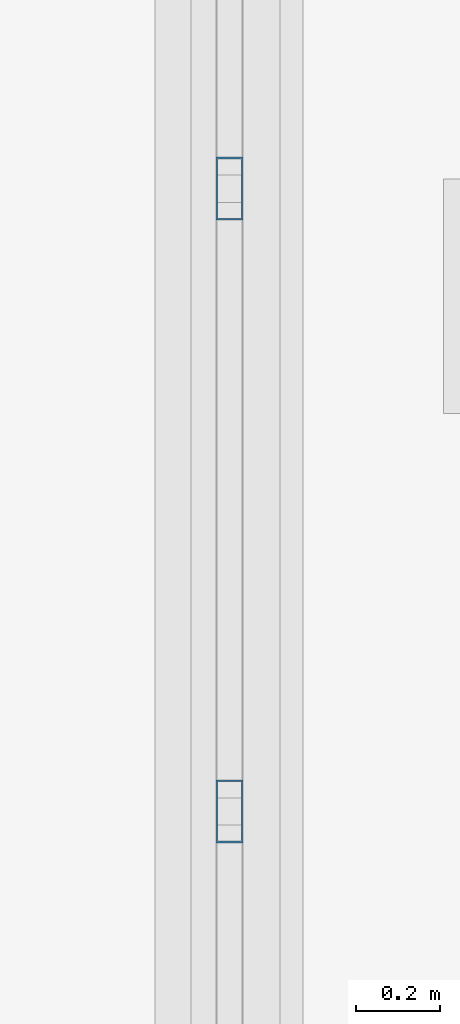
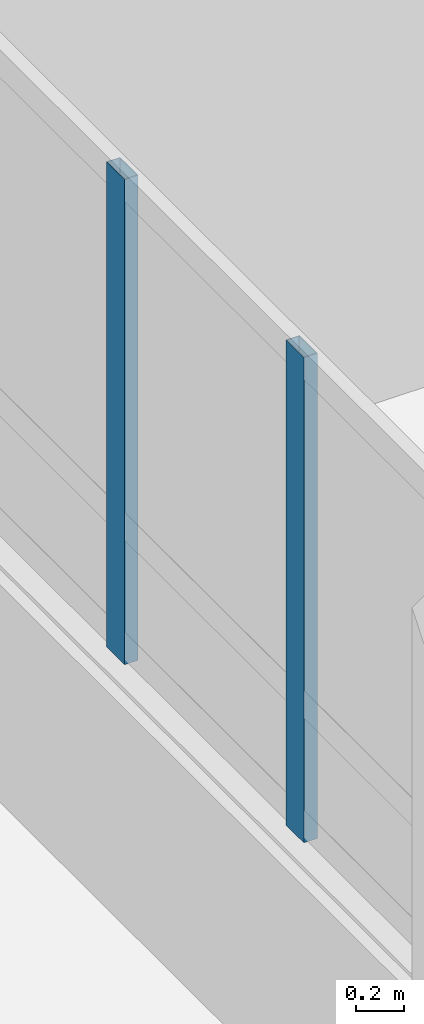
# One storey, part 34 of 95: 2 members, 1 element without a shape of its own.
"""IFC4 building model written with IfcOpenShell, lengths in metres."""

from ifc_helpers import new_model, si_unit, direction, frame, origin, origin_2d, place, context, subcontext, project, spatial, hollow_rectangle, extrude, material, layer, layer_set, material_profile, profile_set, type_object, element, aggregate, save


model = new_model("IFC4")

# Units and contexts
model_context = context("Model", 3, precision=1e-05, world=origin(), true_north=direction((0.0, 1.0)))
body_context = subcontext(model_context, "Body", "Model", "MODEL_VIEW")
ifc_project = project(units=[si_unit("LENGTHUNIT", "METRE"), si_unit("AREAUNIT", "SQUARE_METRE"), si_unit("VOLUMEUNIT", "CUBIC_METRE"), si_unit("PLANEANGLEUNIT", "RADIAN"), si_unit("MASSUNIT", "GRAM", prefix="KILO")], contexts=[model_context])

# Site, building, storey
site_placement = place(None, origin())
site = spatial("IfcSite", under=ifc_project, at=site_placement, CompositionType="ELEMENT")
building_placement = place(site_placement, origin())
building = spatial("IfcBuilding", under=site, at=building_placement, Name="Vireocrest Preparatory School", CompositionType="ELEMENT")
storey_placement = place(building_placement, origin())
storey = spatial("IfcBuildingStorey", under=building, at=storey_placement, Name="L00", CompositionType="ELEMENT", Elevation=0.0)

# Curtain wall, members
ifc_material = material(Name="Thermally broken aluminium EN AW-6063-T6", Category="aluminium")
ifc_layer = layer(ifc_material, 0.179931640625)
ifc_layer_set = layer_set([ifc_layer], Name="Thermally broken aluminium EN AW-6063-T6")
curtain_wall_type = type_object("IfcCurtainWallType", Name="Court Banded Curtain Wall 8400x3600", PredefinedType="USERDEFINED", material=ifc_layer_set)
curtain_wall_placement = place(storey_placement, origin())
curtain_wall = element("IfcCurtainWall", 1, at=curtain_wall_placement, inside=storey, type_object=curtain_wall_type, Name="Curtain Wall CW01 CW_L00_CW01_0924_0442_012", ObjectType="CURTAIN WALL", PredefinedType="USERDEFINED")
ifc_material_profile = material_profile(ifc_material, hollow_rectangle(XDim=0.06494140625, YDim=0.14990234375, WallThickness=0.00390625, at=origin_2d()), Name="ALU 65x150x4")
ifc_profile_set = profile_set([ifc_material_profile], Name="Thermally broken aluminium EN AW-6063-T6")
member_type = type_object("IfcMemberType", Name="CW Mullion 65x150x4", PredefinedType="MULLION", material=ifc_profile_set)
member_1_placement = place(storey_placement, frame((92.39990234375, 45.77099609375, 1.14990234375), z_axis=(0.0, 0.0, 1.0), x_axis=(1.0, 0.0, 0.0)))
member_1 = element("IfcMember", 2, at=member_1_placement, type_object=member_type, Name="CW Mullion ML1 CW_L00_CW01_0924_0442_012-2", PredefinedType="MULLION", context=body_context, shape_type="SweptSolid", body=[
    extrude(hollow_rectangle(XDim=0.06494140625, YDim=0.14990234375, WallThickness=0.00390625, at=origin_2d()), origin(), (0.0, 0.0, 1.0), 2.455078125),
])
member_2_placement = place(storey_placement, frame((92.39990234375, 47.257080078125, 1.14990234375), z_axis=(0.0, 0.0, 1.0), x_axis=(1.0, 0.0, 0.0)))
member_2 = element("IfcMember", 3, at=member_2_placement, type_object=member_type, Name="CW Mullion ML1 CW_L00_CW01_0924_0442_012-3", PredefinedType="MULLION", context=body_context, shape_type="SweptSolid", body=[
    extrude(hollow_rectangle(XDim=0.06494140625, YDim=0.14990234375, WallThickness=0.00390625, at=origin_2d()), origin(), (0.0, 0.0, 1.0), 2.455078125),
])
aggregate(curtain_wall, [member_1, member_2])

save(model, "model.ifc")
